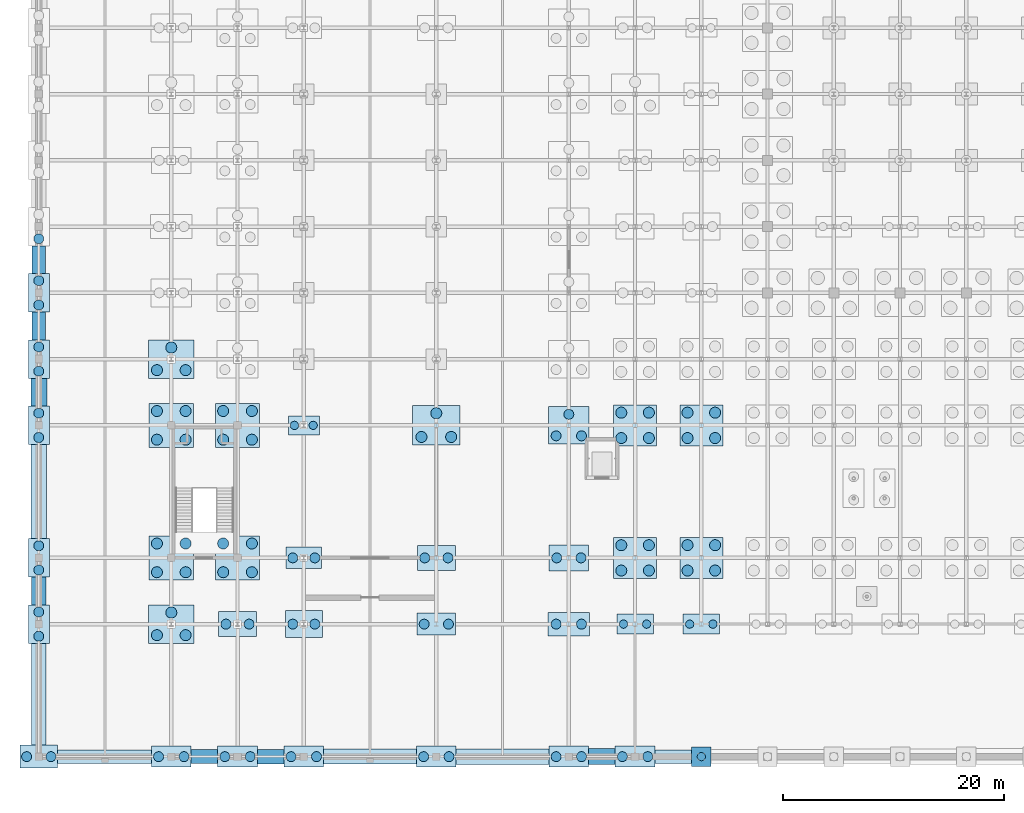
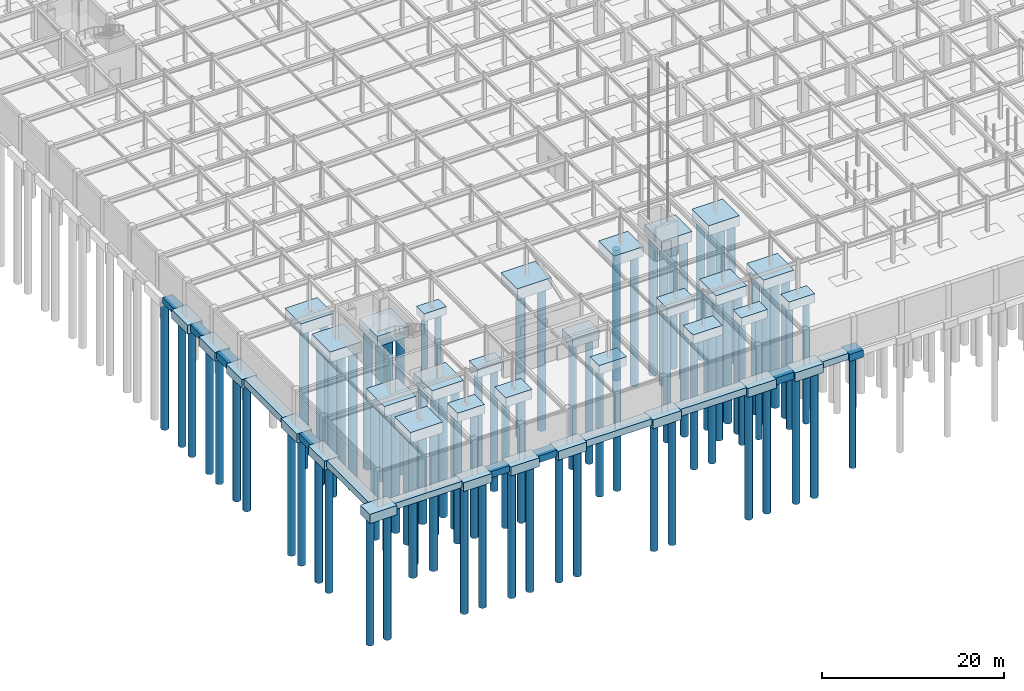
# One storey, part 1 of 69: 90 piles, 48 footings.
"""IFC4 building model written with IfcOpenShell, lengths in metres."""

from ifc_helpers import new_model, si_unit, direction, frame, origin, origin_2d, place, context, subcontext, project, spatial, rectangle, circle, extrude, material, material_profile, profile_set, type_object, element, save


model = new_model("IFC4")

# Units and contexts
model_context = context("Model", 3, precision=1e-05, world=origin(), true_north=direction((0.0, 1.0)))
body_context = subcontext(model_context, "Body", "Model", "MODEL_VIEW")
ifc_project = project(units=[si_unit("LENGTHUNIT", "METRE"), si_unit("AREAUNIT", "SQUARE_METRE"), si_unit("VOLUMEUNIT", "CUBIC_METRE"), si_unit("PLANEANGLEUNIT", "RADIAN"), si_unit("MASSUNIT", "GRAM", prefix="KILO")], contexts=[model_context])

# Site, building, storey
site_placement = place(None, origin())
site = spatial("IfcSite", under=ifc_project, at=site_placement, CompositionType="ELEMENT")
building_placement = place(site_placement, origin())
building = spatial("IfcBuilding", under=site, at=building_placement, Name="Zlatovratsky Civic Hall", CompositionType="ELEMENT")
storey_placement = place(building_placement, frame((0.0, 0.0, -4.800048828125)))
storey = spatial("IfcBuildingStorey", under=building, at=storey_placement, Name="B1", CompositionType="ELEMENT", Elevation=-4.800048828125)

# Footings
ifc_material = material(Name="Concrete C25/30 (B30)", Category="concrete")
footing_type_1 = type_object("IfcFootingType", Name="Footing_Cap1_ForecourtUnder_1750x1750x950", PredefinedType="PILE_CAP", material=ifc_material)
footing_1_placement = place(storey_placement, frame((60.0, 0.0, -0.94970703125), z_axis=(0.0, 0.0, 1.0), x_axis=(1.0, 0.0, 0.0)))
element("IfcFooting", 1, at=footing_1_placement, inside=storey, type_object=footing_type_1, Name="FD-008", PredefinedType="PILE_CAP", context=body_context, shape_type="SweptSolid", body=[
    extrude(rectangle(XDim=1.75, YDim=1.75, at=origin_2d()), origin(), (0.0, 0.0, 1.0), 0.949951171875),
])
footing_type_2 = type_object("IfcFootingType", Name="Footing_Cap2_ArchiveN_3500x2000x1200", PredefinedType="PILE_CAP", material=ifc_material)
footing_2_placement = place(storey_placement, frame((36.0, 12.0, -1.19970703125), z_axis=(0.0, 0.0, 1.0), x_axis=(1.0, 0.0, 0.0)))
element("IfcFooting", 2, at=footing_2_placement, inside=storey, type_object=footing_type_2, Name="FD-028", PredefinedType="PILE_CAP", context=body_context, shape_type="SweptSolid", body=[
    extrude(rectangle(XDim=3.5, YDim=2.0, at=origin_2d()), origin(), (0.0, 0.0, 1.0), 1.199951171875),
])
footing_type_3 = type_object("IfcFootingType", Name="Footing_Cap2_ArchiveS_3250x1950x1150", PredefinedType="PILE_CAP", material=ifc_material)
footing_3_placement = place(storey_placement, frame((24.0, 18.0, -1.14990234375), z_axis=(0.0, 0.0, 1.0), x_axis=(1.0, 0.0, 0.0)))
element("IfcFooting", 3, at=footing_3_placement, inside=storey, type_object=footing_type_3, Name="FD-050", PredefinedType="PILE_CAP", context=body_context, shape_type="SweptSolid", body=[
    extrude(rectangle(XDim=3.25, YDim=1.949951171875, at=origin_2d()), origin(), (0.0, 0.0, 1.0), 1.14990234375),
])
footing_type_4 = type_object("IfcFootingType", Name="Footing_Cap2_Boulevard_3550x2350x1300", PredefinedType="PILE_CAP", material=ifc_material)
footing_4_placement = place(storey_placement, frame((48.0, 18.0, -1.2998046875), z_axis=(0.0, 0.0, 1.0), x_axis=(1.0, 0.0, 0.0)))
element("IfcFooting", 4, at=footing_4_placement, inside=storey, type_object=footing_type_4, Name="FD-052", PredefinedType="PILE_CAP", context=body_context, shape_type="SweptSolid", body=[
    extrude(rectangle(XDim=3.550048828125, YDim=2.35009765625, at=origin_2d()), origin(), (0.0, 0.0, 1.0), 1.300048828125),
])
footing_type_5 = type_object("IfcFootingType", Name="Footing_Cap2_CornerBastion_3400x2100x1250", PredefinedType="PILE_CAP", material=ifc_material)
footing_5_placement = place(storey_placement, frame((0.0, 0.0, -1.25), z_axis=(0.0, 0.0, 1.0), x_axis=(1.0, 0.0, 0.0)))
element("IfcFooting", 5, at=footing_5_placement, inside=storey, type_object=footing_type_5, Name="FD-001", PredefinedType="PILE_CAP", context=body_context, shape_type="SweptSolid", body=[
    extrude(rectangle(XDim=3.39990234375, YDim=2.10009765625, at=origin_2d()), origin(), (0.0, 0.0, 1.0), 1.25),
])
footing_type_6 = type_object("IfcFootingType", Name="Footing_Cap2_CourtS_2800x1700x1050", PredefinedType="PILE_CAP", material=ifc_material)
footing_6_placement = place(storey_placement, frame((24.0, 30.0, -1.0498046875), z_axis=(0.0, 0.0, 1.0), x_axis=(1.0, 0.0, 0.0)))
element("IfcFooting", 6, at=footing_6_placement, inside=storey, type_object=footing_type_6, Name="FD-073", PredefinedType="PILE_CAP", context=body_context, shape_type="SweptSolid", body=[
    extrude(rectangle(XDim=2.800048828125, YDim=1.699951171875, at=origin_2d()), origin(), (0.0, 0.0, 1.0), 1.050048828125),
])
footing_type_7 = type_object("IfcFootingType", Name="Footing_Cap2_PlantB1_3350x2450x1250", PredefinedType="PILE_CAP", material=ifc_material)
footing_7_placement = place(storey_placement, frame((24.0, 12.0, -1.25), z_axis=(0.0, 0.0, 1.0), x_axis=(1.0, 0.0, 0.0)))
element("IfcFooting", 7, at=footing_7_placement, inside=storey, type_object=footing_type_7, Name="FD-027", PredefinedType="PILE_CAP", context=body_context, shape_type="SweptSolid", body=[
    extrude(rectangle(XDim=3.35009765625, YDim=2.449951171875, at=origin_2d()), origin(), (0.0, 0.0, 1.0), 1.25),
])
footing_type_8 = type_object("IfcFootingType", Name="Footing_Cap2_Portico_3300x1800x1150", PredefinedType="PILE_CAP", material=ifc_material)
for number, where, z_axis, x_axis, name in (
    (8, (54.0, 12.0, -1.14990234375), (0.0, 0.0, 1.0), (1.0, 0.0, 0.0), "FD-030"),
    (9, (60.0, 12.0, -1.14990234375), (0.0, 0.0, 1.0), (1.0, 0.0, 0.0), "FD-031"),
):
    element("IfcFooting", number, at=place(storey_placement, frame(where, z_axis=z_axis, x_axis=x_axis)), inside=storey, type_object=footing_type_8, Name=name, PredefinedType="PILE_CAP", context=body_context, shape_type="SweptSolid", body=[
        extrude(rectangle(XDim=3.300048828125, YDim=1.800048828125, at=origin_2d()), origin(), (0.0, 0.0, 1.0), 1.14990234375),
    ])
footing_type_9 = type_object("IfcFootingType", Name="Footing_Cap2_ReceptionW_3450x2250x1200", PredefinedType="PILE_CAP", material=ifc_material)
for number, where, z_axis, x_axis, name in (
    (10, (18.0, 12.0, -1.19970703125), (0.0, 0.0, 1.0), (1.0, 0.0, 0.0), "FD-026"),
    (11, (36.0, 18.0, -1.19970703125), (0.0, 0.0, 1.0), (1.0, 0.0, 0.0), "FD-051"),
):
    element("IfcFooting", number, at=place(storey_placement, frame(where, z_axis=z_axis, x_axis=x_axis)), inside=storey, type_object=footing_type_9, Name=name, PredefinedType="PILE_CAP", context=body_context, shape_type="SweptSolid", body=[
        extrude(rectangle(XDim=3.449951171875, YDim=2.25, at=origin_2d()), origin(), (0.0, 0.0, 1.0), 1.199951171875),
    ])
footing_type_10 = type_object("IfcFootingType", Name="Footing_Cap2_ServiceE_3750x2150x1250", PredefinedType="PILE_CAP", material=ifc_material)
footing_8_placement = place(storey_placement, frame((48.0, 12.0, -1.25), z_axis=(0.0, 0.0, 1.0), x_axis=(1.0, 0.0, 0.0)))
element("IfcFooting", 12, at=footing_8_placement, inside=storey, type_object=footing_type_10, Name="FD-029", PredefinedType="PILE_CAP", context=body_context, shape_type="SweptSolid", body=[
    extrude(rectangle(XDim=3.75, YDim=2.14990234375, at=origin_2d()), origin(), (0.0, 0.0, 1.0), 1.25),
])
footing_type_11 = type_object("IfcFootingType", Name="Footing_Cap2_WingEdgeX_3600x1900x1200", PredefinedType="PILE_CAP", material=ifc_material)
for number, where, z_axis, x_axis, name in (
    (13, (12.0, 0.0, -1.19970703125), (0.0, 0.0, 1.0), (1.0, 0.0, 0.0), "FD-002"),
    (14, (18.0, 0.0, -1.19970703125), (0.0, 0.0, 1.0), (1.0, 0.0, 0.0), "FD-003"),
    (15, (24.0, 0.0, -1.19970703125), (0.0, 0.0, 1.0), (1.0, 0.0, 0.0), "FD-004"),
    (16, (36.0, 0.0, -1.19970703125), (0.0, 0.0, 1.0), (1.0, 0.0, 0.0), "FD-005"),
    (17, (48.0, 0.0, -1.19970703125), (0.0, 0.0, 1.0), (1.0, 0.0, 0.0), "FD-006"),
    (18, (54.0, 0.0, -1.19970703125), (0.0, 0.0, 1.0), (1.0, 0.0, 0.0), "FD-007"),
):
    element("IfcFooting", number, at=place(storey_placement, frame(where, z_axis=z_axis, x_axis=x_axis)), inside=storey, type_object=footing_type_11, Name=name, PredefinedType="PILE_CAP", context=body_context, shape_type="SweptSolid", body=[
        extrude(rectangle(XDim=3.60009765625, YDim=1.89990234375, at=origin_2d()), origin(), (0.0, 0.0, 1.0), 1.199951171875),
    ])
footing_type_12 = type_object("IfcFootingType", Name="Footing_Cap2_WingEdgeY_1900x3500x1200", PredefinedType="PILE_CAP", material=ifc_material)
for number, where, z_axis, x_axis, name in (
    (19, (0.0, 12.0, -1.19970703125), (0.0, 0.0, 1.0), (1.0, 0.0, 0.0), "FD-024"),
    (20, (0.0, 18.0, -1.19970703125), (0.0, 0.0, 1.0), (1.0, 0.0, 0.0), "FD-047"),
    (21, (0.0, 30.0, -1.19970703125), (0.0, 0.0, 1.0), (1.0, 0.0, 0.0), "FD-070"),
    (22, (0.0, 36.0, -1.19970703125), (0.0, 0.0, 1.0), (1.0, 0.0, 0.0), "FD-093"),
    (23, (0.0, 42.0, -1.19970703125), (0.0, 0.0, 1.0), (1.0, 0.0, 0.0), "FD-116"),
):
    element("IfcFooting", number, at=place(storey_placement, frame(where, z_axis=z_axis, x_axis=x_axis)), inside=storey, type_object=footing_type_12, Name=name, PredefinedType="PILE_CAP", context=body_context, shape_type="SweptSolid", body=[
        extrude(rectangle(XDim=1.89990234375, YDim=3.5, at=origin_2d()), origin(), (0.0, 0.0, 1.0), 1.199951171875),
    ])
footing_type_13 = type_object("IfcFootingType", Name="Footing_Cap3_CourtEdge_3700x3400x1300", PredefinedType="PILE_CAP", material=ifc_material)
footing_9_placement = place(storey_placement, frame((48.0, 30.0, -1.2998046875), z_axis=(0.0, 0.0, 1.0), x_axis=(1.0, 0.0, 0.0)))
element("IfcFooting", 24, at=footing_9_placement, inside=storey, type_object=footing_type_13, Name="FD-075", PredefinedType="PILE_CAP", context=body_context, shape_type="SweptSolid", body=[
    extrude(rectangle(XDim=3.699951171875, YDim=3.39990234375, at=origin_2d()), origin(), (0.0, 0.0, 1.0), 1.300048828125),
])
footing_type_14 = type_object("IfcFootingType", Name="Footing_Cap3_TowerFlank_4100x3500x1450", PredefinedType="PILE_CAP", material=ifc_material)
for number, where, z_axis, x_axis, name in (
    (25, (12.0, 12.0, -1.44970703125), (0.0, 0.0, 1.0), (1.0, 0.0, 0.0), "FD-025"),
    (26, (12.0, 36.0, -1.44970703125), (0.0, 0.0, 1.0), (1.0, 0.0, 0.0), "FD-094"),
):
    element("IfcFooting", number, at=place(storey_placement, frame(where, z_axis=z_axis, x_axis=x_axis)), inside=storey, type_object=footing_type_14, Name=name, PredefinedType="PILE_CAP", context=body_context, shape_type="SweptSolid", body=[
        extrude(rectangle(XDim=4.10009765625, YDim=3.5, at=origin_2d()), origin(), (0.0, 0.0, 1.0), 1.449951171875),
    ])
footing_type_15 = type_object("IfcFootingType", Name="Footing_Cap3_TowerNorth_4300x3600x1500", PredefinedType="PILE_CAP", material=ifc_material)
footing_10_placement = place(storey_placement, frame((36.0, 30.0, -1.5), z_axis=(0.0, 0.0, 1.0), x_axis=(1.0, 0.0, 0.0)))
element("IfcFooting", 27, at=footing_10_placement, inside=storey, type_object=footing_type_15, Name="FD-074", PredefinedType="PILE_CAP", context=body_context, shape_type="SweptSolid", body=[
    extrude(rectangle(XDim=4.300048828125, YDim=3.60009765625, at=origin_2d()), origin(), (0.0, 0.0, 1.0), 1.5),
])
footing_type_16 = type_object("IfcFootingType", Name="Footing_Cap4_HallSpine_3900x3700x1350", PredefinedType="PILE_CAP", material=ifc_material)
for number, where, z_axis, x_axis, name in (
    (28, (54.0, 18.0, -1.35009765625), (0.0, 0.0, 1.0), (1.0, 0.0, 0.0), "FD-053"),
    (29, (60.0, 18.0, -1.35009765625), (0.0, 0.0, 1.0), (1.0, 0.0, 0.0), "FD-054"),
    (30, (54.0, 30.0, -1.35009765625), (0.0, 0.0, 1.0), (1.0, 0.0, 0.0), "FD-076"),
    (31, (60.0, 30.0, -1.35009765625), (0.0, 0.0, 1.0), (1.0, 0.0, 0.0), "FD-077"),
):
    element("IfcFooting", number, at=place(storey_placement, frame(where, z_axis=z_axis, x_axis=x_axis)), inside=storey, type_object=footing_type_16, Name=name, PredefinedType="PILE_CAP", context=body_context, shape_type="SweptSolid", body=[
        extrude(rectangle(XDim=3.89990234375, YDim=3.699951171875, at=origin_2d()), origin(), (0.0, 0.0, 1.0), 1.35009765625),
    ])
footing_type_17 = type_object("IfcFootingType", Name="Footing_Cap4_PodiumCore_4000x4000x1400", PredefinedType="PILE_CAP", material=ifc_material)
for number, where, z_axis, x_axis, name in (
    (32, (12.0, 18.0, -1.39990234375), (0.0, 0.0, 1.0), (1.0, 0.0, 0.0), "FD-048"),
    (33, (18.0, 18.0, -1.39990234375), (0.0, 0.0, 1.0), (1.0, 0.0, 0.0), "FD-049"),
    (34, (12.0, 30.0, -1.39990234375), (0.0, 0.0, 1.0), (1.0, 0.0, 0.0), "FD-071"),
    (35, (18.0, 30.0, -1.39990234375), (0.0, 0.0, 1.0), (1.0, 0.0, 0.0), "FD-072"),
):
    element("IfcFooting", number, at=place(storey_placement, frame(where, z_axis=z_axis, x_axis=x_axis)), inside=storey, type_object=footing_type_17, Name=name, PredefinedType="PILE_CAP", context=body_context, shape_type="SweptSolid", body=[
        extrude(rectangle(XDim=4.0, YDim=4.0, at=origin_2d()), origin(), (0.0, 0.0, 1.0), 1.39990234375),
    ])
footing_type_18 = type_object("IfcFootingType", Name="Footing_Strip_B1_01", PredefinedType="STRIP_FOOTING", material=ifc_material)
footing_11_placement = place(storey_placement, frame((5.949951171875, 0.0, -0.85009765625), z_axis=(0.0, 0.0, 1.0), x_axis=(1.0, 0.0, 0.0)))
element("IfcFooting", 36, at=footing_11_placement, inside=storey, type_object=footing_type_18, Name="FD-415", PredefinedType="STRIP_FOOTING", context=body_context, shape_type="SweptSolid", body=[
    extrude(rectangle(XDim=8.5, YDim=1.199951171875, at=origin_2d()), origin(), (0.0, 0.0, 1.0), 0.85009765625),
])
footing_12_placement = place(storey_placement, frame((57.46240234375, 0.0, -0.85009765625), z_axis=(0.0, 0.0, 1.0), x_axis=(1.0, 0.0, 0.0)))
element("IfcFooting", 37, at=footing_12_placement, inside=storey, type_object=footing_type_18, Name="FD-421", PredefinedType="STRIP_FOOTING", context=body_context, shape_type="SweptSolid", body=[
    extrude(rectangle(XDim=3.324951171875, YDim=1.199951171875, at=origin_2d()), origin(), (0.0, 0.0, 1.0), 0.85009765625),
])
footing_13_placement = place(storey_placement, frame((0.0, 39.0, -0.85009765625), z_axis=(0.0, 0.0, 1.0), x_axis=(1.0, 0.0, 0.0)))
element("IfcFooting", 38, at=footing_13_placement, inside=storey, type_object=footing_type_18, Name="FD-463", PredefinedType="STRIP_FOOTING", context=body_context, shape_type="SweptSolid", body=[
    extrude(rectangle(XDim=1.199951171875, YDim=2.5, at=origin_2d()), origin(), (0.0, 0.0, 1.0), 0.85009765625),
])
footing_type_19 = type_object("IfcFootingType", Name="Footing_Strip_B1_02", PredefinedType="STRIP_FOOTING", material=ifc_material)
footing_14_placement = place(storey_placement, frame((15.0, 0.0, -0.85009765625), z_axis=(0.0, 0.0, 1.0), x_axis=(1.0, 0.0, 0.0)))
element("IfcFooting", 39, at=footing_14_placement, inside=storey, type_object=footing_type_19, Name="FD-416", PredefinedType="STRIP_FOOTING", context=body_context, shape_type="SweptSolid", body=[
    extrude(rectangle(XDim=2.39990234375, YDim=1.25, at=origin_2d()), origin(), (0.0, 0.0, 1.0), 0.85009765625),
])
footing_15_placement = place(storey_placement, frame((0.0, 45.0, -0.85009765625), z_axis=(0.0, 0.0, 1.0), x_axis=(1.0, 0.0, 0.0)))
element("IfcFooting", 40, at=footing_15_placement, inside=storey, type_object=footing_type_19, Name="FD-464", PredefinedType="STRIP_FOOTING", context=body_context, shape_type="SweptSolid", body=[
    extrude(rectangle(XDim=1.25, YDim=2.5, at=origin_2d()), origin(), (0.0, 0.0, 1.0), 0.85009765625),
])
footing_type_20 = type_object("IfcFootingType", Name="Footing_Strip_B1_03", PredefinedType="STRIP_FOOTING", material=ifc_material)
footing_16_placement = place(storey_placement, frame((21.0, 0.0, -0.89990234375), z_axis=(0.0, 0.0, 1.0), x_axis=(1.0, 0.0, 0.0)))
element("IfcFooting", 41, at=footing_16_placement, inside=storey, type_object=footing_type_20, Name="FD-417", PredefinedType="STRIP_FOOTING", context=body_context, shape_type="SweptSolid", body=[
    extrude(rectangle(XDim=2.39990234375, YDim=1.300048828125, at=origin_2d()), origin(), (0.0, 0.0, 1.0), 0.89990234375),
])
footing_17_placement = place(storey_placement, frame((0.0, 5.64990234375, -0.89990234375), z_axis=(0.0, 0.0, 1.0), x_axis=(1.0, 0.0, 0.0)))
element("IfcFooting", 42, at=footing_17_placement, inside=storey, type_object=footing_type_20, Name="FD-459", PredefinedType="STRIP_FOOTING", context=body_context, shape_type="SweptSolid", body=[
    extrude(rectangle(XDim=1.300048828125, YDim=9.199951171875, at=origin_2d()), origin(), (0.0, 0.0, 1.0), 0.89990234375),
])
footing_type_21 = type_object("IfcFootingType", Name="Footing_Strip_B1_04", PredefinedType="STRIP_FOOTING", material=ifc_material)
footing_18_placement = place(storey_placement, frame((30.0, 0.0, -0.89990234375), z_axis=(0.0, 0.0, 1.0), x_axis=(1.0, 0.0, 0.0)))
element("IfcFooting", 43, at=footing_18_placement, inside=storey, type_object=footing_type_21, Name="FD-418", PredefinedType="STRIP_FOOTING", context=body_context, shape_type="SweptSolid", body=[
    extrude(rectangle(XDim=8.39990234375, YDim=1.35009765625, at=origin_2d()), origin(), (0.0, 0.0, 1.0), 0.89990234375),
])
footing_19_placement = place(storey_placement, frame((0.0, 15.0, -0.89990234375), z_axis=(0.0, 0.0, 1.0), x_axis=(1.0, 0.0, 0.0)))
element("IfcFooting", 44, at=footing_19_placement, inside=storey, type_object=footing_type_21, Name="FD-460", PredefinedType="STRIP_FOOTING", context=body_context, shape_type="SweptSolid", body=[
    extrude(rectangle(XDim=1.35009765625, YDim=2.5, at=origin_2d()), origin(), (0.0, 0.0, 1.0), 0.89990234375),
])
footing_type_22 = type_object("IfcFootingType", Name="Footing_Strip_B1_05", PredefinedType="STRIP_FOOTING", material=ifc_material)
footing_20_placement = place(storey_placement, frame((42.0, 0.0, -0.94970703125), z_axis=(0.0, 0.0, 1.0), x_axis=(1.0, 0.0, 0.0)))
element("IfcFooting", 45, at=footing_20_placement, inside=storey, type_object=footing_type_22, Name="FD-419", PredefinedType="STRIP_FOOTING", context=body_context, shape_type="SweptSolid", body=[
    extrude(rectangle(XDim=8.39990234375, YDim=1.39990234375, at=origin_2d()), origin(), (0.0, 0.0, 1.0), 0.949951171875),
])
footing_21_placement = place(storey_placement, frame((0.0, 24.0, -0.94970703125), z_axis=(0.0, 0.0, 1.0), x_axis=(1.0, 0.0, 0.0)))
element("IfcFooting", 46, at=footing_21_placement, inside=storey, type_object=footing_type_22, Name="FD-461", PredefinedType="STRIP_FOOTING", context=body_context, shape_type="SweptSolid", body=[
    extrude(rectangle(XDim=1.39990234375, YDim=8.5, at=origin_2d()), origin(), (0.0, 0.0, 1.0), 0.949951171875),
])
footing_type_23 = type_object("IfcFootingType", Name="Footing_Strip_B1_06", PredefinedType="STRIP_FOOTING", material=ifc_material)
footing_22_placement = place(storey_placement, frame((51.0, 0.0, -0.94970703125), z_axis=(0.0, 0.0, 1.0), x_axis=(1.0, 0.0, 0.0)))
element("IfcFooting", 47, at=footing_22_placement, inside=storey, type_object=footing_type_23, Name="FD-420", PredefinedType="STRIP_FOOTING", context=body_context, shape_type="SweptSolid", body=[
    extrude(rectangle(XDim=2.39990234375, YDim=1.449951171875, at=origin_2d()), origin(), (0.0, 0.0, 1.0), 0.949951171875),
])
footing_23_placement = place(storey_placement, frame((0.0, 33.0, -0.94970703125), z_axis=(0.0, 0.0, 1.0), x_axis=(1.0, 0.0, 0.0)))
element("IfcFooting", 48, at=footing_23_placement, inside=storey, type_object=footing_type_23, Name="FD-462", PredefinedType="STRIP_FOOTING", context=body_context, shape_type="SweptSolid", body=[
    extrude(rectangle(XDim=1.449951171875, YDim=2.5, at=origin_2d()), origin(), (0.0, 0.0, 1.0), 0.949951171875),
])

# Piles
ifc_material_profile_1 = material_profile(ifc_material, circle(Radius=0.5, at=origin_2d()), Name="PILE D1000")
ifc_profile_set_1 = profile_set([ifc_material_profile_1], Name="Concrete C25/30 (B30)")
pile_type_1 = type_object("IfcPileType", Name="Pile_Bored_D1000", PredefinedType="BORED", material=ifc_profile_set_1)
for number, where, z_axis, x_axis, name in (
    (49, (10.699951171875, 11.0, -1.349853515625), (0.0, 0.0, -1.0), (1.0, 0.0, 0.0), "PL-0040"),
    (50, (13.300048828125, 11.0, -1.349853515625), (0.0, 0.0, -1.0), (1.0, 0.0, 0.0), "PL-0041"),
    (51, (12.0, 13.050048828125, -1.349853515625), (0.0, 0.0, -1.0), (1.0, 0.0, 0.0), "PL-0042"),
    (52, (10.699951171875, 16.699951171875, -1.300048828125), (0.0, 0.0, -1.0), (1.0, 0.0, 0.0), "PL-0088"),
    (53, (13.300048828125, 16.699951171875, -1.300048828125), (0.0, 0.0, -1.0), (1.0, 0.0, 0.0), "PL-0089"),
    (54, (10.699951171875, 19.300048828125, -1.300048828125), (0.0, 0.0, -1.0), (1.0, 0.0, 0.0), "PL-0090"),
    (55, (13.300048828125, 19.300048828125, -1.300048828125), (0.0, 0.0, -1.0), (1.0, 0.0, 0.0), "PL-0091"),
    (56, (16.699951171875, 16.699951171875, -1.300048828125), (0.0, 0.0, -1.0), (1.0, 0.0, 0.0), "PL-0092"),
    (57, (19.300048828125, 16.699951171875, -1.300048828125), (0.0, 0.0, -1.0), (1.0, 0.0, 0.0), "PL-0093"),
    (58, (16.699951171875, 19.300048828125, -1.300048828125), (0.0, 0.0, -1.0), (1.0, 0.0, 0.0), "PL-0094"),
    (59, (19.300048828125, 19.300048828125, -1.300048828125), (0.0, 0.0, -1.0), (1.0, 0.0, 0.0), "PL-0095"),
    (60, (52.75, 16.85009765625, -1.25), (0.0, 0.0, -1.0), (1.0, 0.0, 0.0), "PL-0102"),
    (61, (55.25, 16.85009765625, -1.25), (0.0, 0.0, -1.0), (1.0, 0.0, 0.0), "PL-0103"),
    (62, (52.75, 19.14990234375, -1.25), (0.0, 0.0, -1.0), (1.0, 0.0, 0.0), "PL-0104"),
    (63, (55.25, 19.14990234375, -1.25), (0.0, 0.0, -1.0), (1.0, 0.0, 0.0), "PL-0105"),
    (64, (58.75, 16.85009765625, -1.25), (0.0, 0.0, -1.0), (1.0, 0.0, 0.0), "PL-0106"),
    (65, (61.25, 16.85009765625, -1.25), (0.0, 0.0, -1.0), (1.0, 0.0, 0.0), "PL-0107"),
    (66, (58.75, 19.14990234375, -1.25), (0.0, 0.0, -1.0), (1.0, 0.0, 0.0), "PL-0108"),
    (67, (61.25, 19.14990234375, -1.25), (0.0, 0.0, -1.0), (1.0, 0.0, 0.0), "PL-0109"),
    (68, (10.699951171875, 28.699951171875, -1.300048828125), (0.0, 0.0, -1.0), (1.0, 0.0, 0.0), "PL-0165"),
    (69, (13.300048828125, 28.699951171875, -1.300048828125), (0.0, 0.0, -1.0), (1.0, 0.0, 0.0), "PL-0166"),
    (70, (10.699951171875, 31.300048828125, -1.300048828125), (0.0, 0.0, -1.0), (1.0, 0.0, 0.0), "PL-0167"),
    (71, (13.300048828125, 31.300048828125, -1.300048828125), (0.0, 0.0, -1.0), (1.0, 0.0, 0.0), "PL-0168"),
    (72, (16.699951171875, 28.699951171875, -1.300048828125), (0.0, 0.0, -1.0), (1.0, 0.0, 0.0), "PL-0169"),
    (73, (19.300048828125, 28.699951171875, -1.300048828125), (0.0, 0.0, -1.0), (1.0, 0.0, 0.0), "PL-0170"),
    (74, (16.699951171875, 31.300048828125, -1.300048828125), (0.0, 0.0, -1.0), (1.0, 0.0, 0.0), "PL-0171"),
    (75, (19.300048828125, 31.300048828125, -1.300048828125), (0.0, 0.0, -1.0), (1.0, 0.0, 0.0), "PL-0172"),
):
    element("IfcPile", number, at=place(storey_placement, frame(where, z_axis=z_axis, x_axis=x_axis)), inside=storey, type_object=pile_type_1, Name=name, PredefinedType="BORED", context=body_context, shape_type="SweptSolid", body=[
        extrude(circle(Radius=0.5, at=origin_2d()), origin(), (0.0, 0.0, 1.0), 18.5),
    ])
for number, where, z_axis, x_axis, name in (
    (76, (34.64990234375, 28.949951171875, -1.39990234375), (0.0, 0.0, -1.0), (1.0, 0.0, 0.0), "PL-0175"),
    (77, (37.35009765625, 28.949951171875, -1.39990234375), (0.0, 0.0, -1.0), (1.0, 0.0, 0.0), "PL-0176"),
    (78, (36.0, 31.10009765625, -1.39990234375), (0.0, 0.0, -1.0), (1.0, 0.0, 0.0), "PL-0177"),
):
    element("IfcPile", number, at=place(storey_placement, frame(where, z_axis=z_axis, x_axis=x_axis)), inside=storey, type_object=pile_type_1, Name=name, PredefinedType="BORED", context=body_context, shape_type="SweptSolid", body=[
        extrude(circle(Radius=0.5, at=origin_2d()), origin(), (0.0, 0.0, 1.0), 19.0),
    ])
for number, where, z_axis, x_axis, name in (
    (79, (52.75, 28.85009765625, -1.25), (0.0, 0.0, -1.0), (1.0, 0.0, 0.0), "PL-0181"),
    (80, (55.25, 28.85009765625, -1.25), (0.0, 0.0, -1.0), (1.0, 0.0, 0.0), "PL-0182"),
    (81, (52.75, 31.14990234375, -1.25), (0.0, 0.0, -1.0), (1.0, 0.0, 0.0), "PL-0183"),
    (82, (55.25, 31.14990234375, -1.25), (0.0, 0.0, -1.0), (1.0, 0.0, 0.0), "PL-0184"),
    (83, (58.75, 28.85009765625, -1.25), (0.0, 0.0, -1.0), (1.0, 0.0, 0.0), "PL-0185"),
    (84, (61.25, 28.85009765625, -1.25), (0.0, 0.0, -1.0), (1.0, 0.0, 0.0), "PL-0186"),
    (85, (58.75, 31.14990234375, -1.25), (0.0, 0.0, -1.0), (1.0, 0.0, 0.0), "PL-0187"),
    (86, (61.25, 31.14990234375, -1.25), (0.0, 0.0, -1.0), (1.0, 0.0, 0.0), "PL-0188"),
    (87, (10.699951171875, 35.0, -1.349853515625), (0.0, 0.0, -1.0), (1.0, 0.0, 0.0), "PL-0244"),
    (88, (13.300048828125, 35.0, -1.349853515625), (0.0, 0.0, -1.0), (1.0, 0.0, 0.0), "PL-0245"),
    (89, (12.0, 37.050048828125, -1.349853515625), (0.0, 0.0, -1.0), (1.0, 0.0, 0.0), "PL-0246"),
):
    element("IfcPile", number, at=place(storey_placement, frame(where, z_axis=z_axis, x_axis=x_axis)), inside=storey, type_object=pile_type_1, Name=name, PredefinedType="BORED", context=body_context, shape_type="SweptSolid", body=[
        extrude(circle(Radius=0.5, at=origin_2d()), origin(), (0.0, 0.0, 1.0), 18.5),
    ])
ifc_material_profile_2 = material_profile(ifc_material, circle(Radius=0.375, at=origin_2d()), Name="PILE D750")
ifc_profile_set_2 = profile_set([ifc_material_profile_2], Name="Concrete C25/30 (B30)")
pile_type_2 = type_object("IfcPileType", Name="Pile_Bored_D750", PredefinedType="BORED", material=ifc_profile_set_2)
pile_placement = place(storey_placement, frame((60.0, 0.0, -0.849853515625), z_axis=(0.0, 0.0, -1.0), x_axis=(1.0, 0.0, 0.0)))
element("IfcPile", 90, at=pile_placement, inside=storey, type_object=pile_type_2, Name="PL-0015", PredefinedType="BORED", context=body_context, shape_type="SweptSolid", body=[
    extrude(circle(Radius=0.375, at=origin_2d()), origin(), (0.0, 0.0, 1.0), 15.0),
])
for number, where, z_axis, x_axis, name in (
    (91, (52.949951171875, 12.0, -1.050048828125), (0.0, 0.0, -1.0), (1.0, 0.0, 0.0), "PL-0051"),
    (92, (55.050048828125, 12.0, -1.050048828125), (0.0, 0.0, -1.0), (1.0, 0.0, 0.0), "PL-0052"),
    (93, (58.949951171875, 12.0, -1.050048828125), (0.0, 0.0, -1.0), (1.0, 0.0, 0.0), "PL-0053"),
    (94, (61.050048828125, 12.0, -1.050048828125), (0.0, 0.0, -1.0), (1.0, 0.0, 0.0), "PL-0054"),
):
    element("IfcPile", number, at=place(storey_placement, frame(where, z_axis=z_axis, x_axis=x_axis)), inside=storey, type_object=pile_type_2, Name=name, PredefinedType="BORED", context=body_context, shape_type="SweptSolid", body=[
        extrude(circle(Radius=0.375, at=origin_2d()), origin(), (0.0, 0.0, 1.0), 16.5),
    ])
for number, where, z_axis, x_axis, name in (
    (95, (23.14990234375, 30.0, -0.949951171875), (0.0, 0.0, -1.0), (1.0, 0.0, 0.0), "PL-0173"),
    (96, (24.85009765625, 30.0, -0.949951171875), (0.0, 0.0, -1.0), (1.0, 0.0, 0.0), "PL-0174"),
):
    element("IfcPile", number, at=place(storey_placement, frame(where, z_axis=z_axis, x_axis=x_axis)), inside=storey, type_object=pile_type_2, Name=name, PredefinedType="BORED", context=body_context, shape_type="SweptSolid", body=[
        extrude(circle(Radius=0.375, at=origin_2d()), origin(), (0.0, 0.0, 1.0), 15.5),
    ])
ifc_material_profile_3 = material_profile(ifc_material, circle(Radius=0.449951171875, at=origin_2d()), Name="PILE D900")
ifc_profile_set_3 = profile_set([ifc_material_profile_3], Name="Concrete C25/30 (B30)")
pile_type_3 = type_object("IfcPileType", Name="Pile_Bored_D900", PredefinedType="BORED", material=ifc_profile_set_3)
for number, where, z_axis, x_axis, name in (
    (97, (-1.10009765625, 0.0, -1.14990234375), (0.0, 0.0, -1.0), (1.0, 0.0, 0.0), "PL-0001"),
    (98, (1.10009765625, 0.0, -1.14990234375), (0.0, 0.0, -1.0), (1.0, 0.0, 0.0), "PL-0002"),
    (99, (10.85009765625, 0.0, -1.099853515625), (0.0, 0.0, -1.0), (1.0, 0.0, 0.0), "PL-0003"),
    (100, (13.14990234375, 0.0, -1.099853515625), (0.0, 0.0, -1.0), (1.0, 0.0, 0.0), "PL-0004"),
    (101, (16.85009765625, 0.0, -1.099853515625), (0.0, 0.0, -1.0), (1.0, 0.0, 0.0), "PL-0005"),
    (102, (19.14990234375, 0.0, -1.099853515625), (0.0, 0.0, -1.0), (1.0, 0.0, 0.0), "PL-0006"),
    (103, (22.85009765625, 0.0, -1.099853515625), (0.0, 0.0, -1.0), (1.0, 0.0, 0.0), "PL-0007"),
    (104, (25.14990234375, 0.0, -1.099853515625), (0.0, 0.0, -1.0), (1.0, 0.0, 0.0), "PL-0008"),
    (105, (34.85009765625, 0.0, -1.099853515625), (0.0, 0.0, -1.0), (1.0, 0.0, 0.0), "PL-0009"),
    (106, (37.14990234375, 0.0, -1.099853515625), (0.0, 0.0, -1.0), (1.0, 0.0, 0.0), "PL-0010"),
    (107, (46.85009765625, 0.0, -1.099853515625), (0.0, 0.0, -1.0), (1.0, 0.0, 0.0), "PL-0011"),
    (108, (49.14990234375, 0.0, -1.099853515625), (0.0, 0.0, -1.0), (1.0, 0.0, 0.0), "PL-0012"),
    (109, (52.85009765625, 0.0, -1.099853515625), (0.0, 0.0, -1.0), (1.0, 0.0, 0.0), "PL-0013"),
    (110, (55.14990234375, 0.0, -1.099853515625), (0.0, 0.0, -1.0), (1.0, 0.0, 0.0), "PL-0014"),
    (111, (0.0, 10.89990234375, -1.099853515625), (0.0, 0.0, -1.0), (1.0, 0.0, 0.0), "PL-0038"),
    (112, (0.0, 13.10009765625, -1.099853515625), (0.0, 0.0, -1.0), (1.0, 0.0, 0.0), "PL-0039"),
    (113, (16.949951171875, 12.0, -1.099853515625), (0.0, 0.0, -1.0), (1.0, 0.0, 0.0), "PL-0043"),
    (114, (19.050048828125, 12.0, -1.099853515625), (0.0, 0.0, -1.0), (1.0, 0.0, 0.0), "PL-0044"),
    (115, (23.0, 12.0, -1.14990234375), (0.0, 0.0, -1.0), (1.0, 0.0, 0.0), "PL-0045"),
    (116, (25.0, 12.0, -1.14990234375), (0.0, 0.0, -1.0), (1.0, 0.0, 0.0), "PL-0046"),
    (117, (34.89990234375, 12.0, -1.099853515625), (0.0, 0.0, -1.0), (1.0, 0.0, 0.0), "PL-0047"),
    (118, (37.10009765625, 12.0, -1.099853515625), (0.0, 0.0, -1.0), (1.0, 0.0, 0.0), "PL-0048"),
):
    element("IfcPile", number, at=place(storey_placement, frame(where, z_axis=z_axis, x_axis=x_axis)), inside=storey, type_object=pile_type_3, Name=name, PredefinedType="BORED", context=body_context, shape_type="SweptSolid", body=[
        extrude(circle(Radius=0.449951171875, at=origin_2d()), origin(), (0.0, 0.0, 1.0), 17.0),
    ])
for number, where, z_axis, x_axis, name in (
    (119, (46.85009765625, 12.0, -1.14990234375), (0.0, 0.0, -1.0), (1.0, 0.0, 0.0), "PL-0049"),
    (120, (49.14990234375, 12.0, -1.14990234375), (0.0, 0.0, -1.0), (1.0, 0.0, 0.0), "PL-0050"),
):
    element("IfcPile", number, at=place(storey_placement, frame(where, z_axis=z_axis, x_axis=x_axis)), inside=storey, type_object=pile_type_3, Name=name, PredefinedType="BORED", context=body_context, shape_type="SweptSolid", body=[
        extrude(circle(Radius=0.449951171875, at=origin_2d()), origin(), (0.0, 0.0, 1.0), 17.5),
    ])
for number, where, z_axis, x_axis, name in (
    (121, (0.0, 16.89990234375, -1.099853515625), (0.0, 0.0, -1.0), (1.0, 0.0, 0.0), "PL-0086"),
    (122, (0.0, 19.10009765625, -1.099853515625), (0.0, 0.0, -1.0), (1.0, 0.0, 0.0), "PL-0087"),
):
    element("IfcPile", number, at=place(storey_placement, frame(where, z_axis=z_axis, x_axis=x_axis)), inside=storey, type_object=pile_type_3, Name=name, PredefinedType="BORED", context=body_context, shape_type="SweptSolid", body=[
        extrude(circle(Radius=0.449951171875, at=origin_2d()), origin(), (0.0, 0.0, 1.0), 17.0),
    ])
for number, where, z_axis, x_axis, name in (
    (123, (23.0, 18.0, -1.050048828125), (0.0, 0.0, -1.0), (1.0, 0.0, 0.0), "PL-0096"),
    (124, (25.0, 18.0, -1.050048828125), (0.0, 0.0, -1.0), (1.0, 0.0, 0.0), "PL-0097"),
):
    element("IfcPile", number, at=place(storey_placement, frame(where, z_axis=z_axis, x_axis=x_axis)), inside=storey, type_object=pile_type_3, Name=name, PredefinedType="BORED", context=body_context, shape_type="SweptSolid", body=[
        extrude(circle(Radius=0.449951171875, at=origin_2d()), origin(), (0.0, 0.0, 1.0), 16.5),
    ])
for number, where, z_axis, x_axis, name in (
    (125, (34.949951171875, 18.0, -1.099853515625), (0.0, 0.0, -1.0), (1.0, 0.0, 0.0), "PL-0098"),
    (126, (37.050048828125, 18.0, -1.099853515625), (0.0, 0.0, -1.0), (1.0, 0.0, 0.0), "PL-0099"),
):
    element("IfcPile", number, at=place(storey_placement, frame(where, z_axis=z_axis, x_axis=x_axis)), inside=storey, type_object=pile_type_3, Name=name, PredefinedType="BORED", context=body_context, shape_type="SweptSolid", body=[
        extrude(circle(Radius=0.449951171875, at=origin_2d()), origin(), (0.0, 0.0, 1.0), 17.0),
    ])
for number, where, z_axis, x_axis, name in (
    (127, (46.89990234375, 18.0, -1.199951171875), (0.0, 0.0, -1.0), (1.0, 0.0, 0.0), "PL-0100"),
    (128, (49.10009765625, 18.0, -1.199951171875), (0.0, 0.0, -1.0), (1.0, 0.0, 0.0), "PL-0101"),
):
    element("IfcPile", number, at=place(storey_placement, frame(where, z_axis=z_axis, x_axis=x_axis)), inside=storey, type_object=pile_type_3, Name=name, PredefinedType="BORED", context=body_context, shape_type="SweptSolid", body=[
        extrude(circle(Radius=0.449951171875, at=origin_2d()), origin(), (0.0, 0.0, 1.0), 17.5),
    ])
for number, where, z_axis, x_axis, name in (
    (129, (0.0, 28.89990234375, -1.099853515625), (0.0, 0.0, -1.0), (1.0, 0.0, 0.0), "PL-0163"),
    (130, (0.0, 31.10009765625, -1.099853515625), (0.0, 0.0, -1.0), (1.0, 0.0, 0.0), "PL-0164"),
):
    element("IfcPile", number, at=place(storey_placement, frame(where, z_axis=z_axis, x_axis=x_axis)), inside=storey, type_object=pile_type_3, Name=name, PredefinedType="BORED", context=body_context, shape_type="SweptSolid", body=[
        extrude(circle(Radius=0.449951171875, at=origin_2d()), origin(), (0.0, 0.0, 1.0), 17.0),
    ])
for number, where, z_axis, x_axis, name in (
    (131, (46.85009765625, 29.050048828125, -1.199951171875), (0.0, 0.0, -1.0), (1.0, 0.0, 0.0), "PL-0178"),
    (132, (49.14990234375, 29.050048828125, -1.199951171875), (0.0, 0.0, -1.0), (1.0, 0.0, 0.0), "PL-0179"),
    (133, (48.0, 31.0, -1.199951171875), (0.0, 0.0, -1.0), (1.0, 0.0, 0.0), "PL-0180"),
):
    element("IfcPile", number, at=place(storey_placement, frame(where, z_axis=z_axis, x_axis=x_axis)), inside=storey, type_object=pile_type_3, Name=name, PredefinedType="BORED", context=body_context, shape_type="SweptSolid", body=[
        extrude(circle(Radius=0.449951171875, at=origin_2d()), origin(), (0.0, 0.0, 1.0), 17.5),
    ])
for number, where, z_axis, x_axis, name in (
    (134, (0.0, 34.89990234375, -1.099853515625), (0.0, 0.0, -1.0), (1.0, 0.0, 0.0), "PL-0242"),
    (135, (0.0, 37.10009765625, -1.099853515625), (0.0, 0.0, -1.0), (1.0, 0.0, 0.0), "PL-0243"),
    (136, (0.0, 40.89990234375, -1.099853515625), (0.0, 0.0, -1.0), (1.0, 0.0, 0.0), "PL-0312"),
    (137, (0.0, 43.10009765625, -1.099853515625), (0.0, 0.0, -1.0), (1.0, 0.0, 0.0), "PL-0313"),
    (138, (0.0, 46.89990234375, -1.099853515625), (0.0, 0.0, -1.0), (1.0, 0.0, 0.0), "PL-0372"),
):
    element("IfcPile", number, at=place(storey_placement, frame(where, z_axis=z_axis, x_axis=x_axis)), inside=storey, type_object=pile_type_3, Name=name, PredefinedType="BORED", context=body_context, shape_type="SweptSolid", body=[
        extrude(circle(Radius=0.449951171875, at=origin_2d()), origin(), (0.0, 0.0, 1.0), 17.0),
    ])

save(model, "model.ifc")
